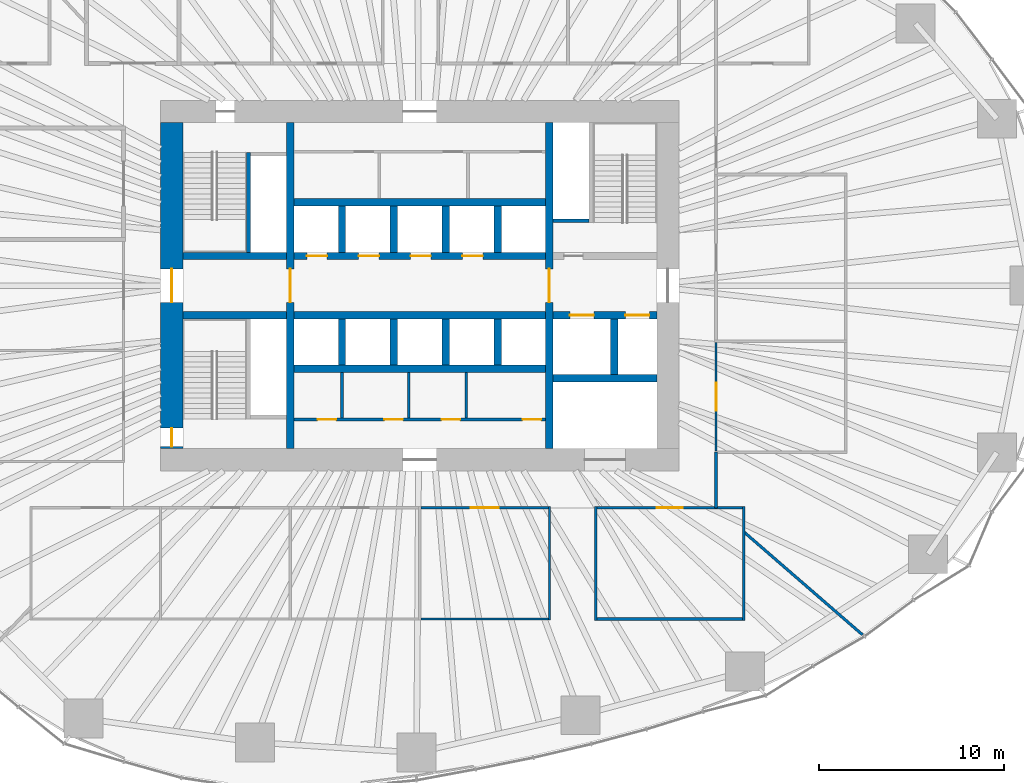
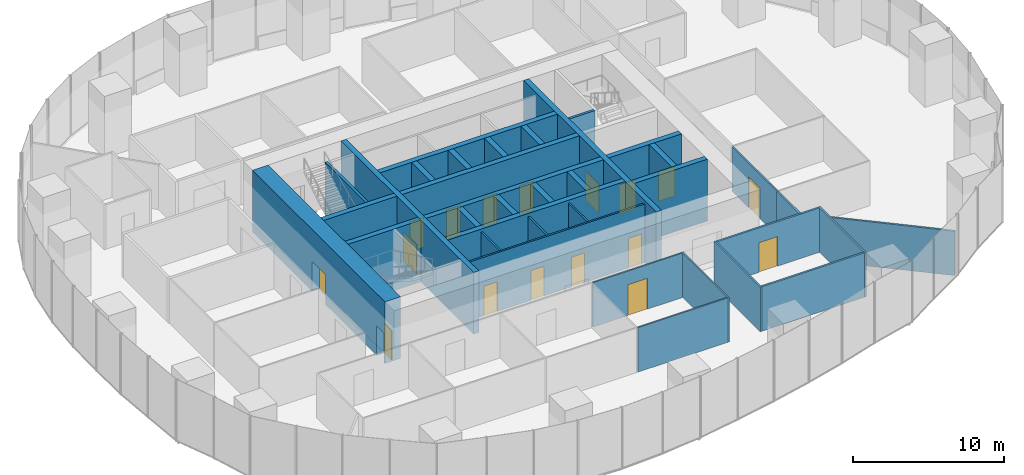
# One storey, part 10 of 20: 36 walls, 17 doors, 17 openings.
"""IFC4 building model written with IfcOpenShell, lengths in metres."""

from ifc_helpers import new_model, si_unit, direction, frame, frame_2d, origin, place, context, subcontext, project, spatial, rectangle, extrude, material, layer, layer_set, type_object, element, fill, save


model = new_model("IFC4")

# Units and contexts
model_context = context("Model", 3, precision=1e-05, world=origin(), true_north=direction((0.0, 1.0)))
body_context = subcontext(model_context, "Body", "Model", "MODEL_VIEW")
ifc_project = project(units=[si_unit("LENGTHUNIT", "METRE"), si_unit("AREAUNIT", "SQUARE_METRE"), si_unit("VOLUMEUNIT", "CUBIC_METRE"), si_unit("PLANEANGLEUNIT", "RADIAN"), si_unit("MASSUNIT", "GRAM", prefix="KILO")], contexts=[model_context])

# Site, building, storey
site_placement = place(None, origin())
site = spatial("IfcSite", under=ifc_project, at=site_placement, CompositionType="ELEMENT")
building_placement = place(site_placement, origin())
building = spatial("IfcBuilding", under=site, at=building_placement, Name="Ghaith Harvest Tower", CompositionType="ELEMENT")
storey_placement = place(building_placement, frame((0.0, 0.0, 40.0)))
storey = spatial("IfcBuildingStorey", under=building, at=storey_placement, Name="L08", CompositionType="ELEMENT", Elevation=40.0)

# Wall, openings, doors
ifc_material_1 = material(Name="Concrete blockwork, fair-faced", Category="masonry")
ifc_layer_1 = layer(ifc_material_1, 0.139892578125)
ifc_layer_set_1 = layer_set([ifc_layer_1], Name="CORE PARTITION 140")
wall_type_1 = type_object("IfcWallType", Name="CORE PARTITION 140", PredefinedType="PARTITIONING", material=ifc_layer_set_1)
wall_1_placement = place(storey_placement, frame((-6.800048828125, -7.22998046875, 0.0), z_axis=(0.0, 0.0, 1.0), x_axis=(1.0, 0.0, 0.0)))
wall_1 = element("IfcWall", 1, at=wall_1_placement, inside=storey, type_object=wall_type_1, Name="Core partition L08", PredefinedType="PARTITIONING", context=body_context, shape_type="SweptSolid", body=[
    extrude(rectangle(XDim=13.60009765625, YDim=0.139892578125, at=frame_2d((6.800048828125, 0.0))), origin(), (0.0, 0.0, 1.0), 4.75),
])
opening_1_placement = place(wall_1_placement, frame((1.280029296875, 0.0, 0.0)))
opening_1 = element("IfcOpeningElement", 2, at=opening_1_placement, cuts=wall_1, Name="Opening 08-011", PredefinedType="OPENING", context=body_context, shape_type="SweptSolid", body=[
    extrude(rectangle(XDim=1.0, YDim=2.39990234375, at=frame_2d((0.5, 1.199951171875))), frame((0.0, 0.080078125, 0.0), z_axis=(0.0, -1.0, 0.0), x_axis=(1.0, 0.0, 0.0)), (0.0, 0.0, 1.0), 0.159912109375),
])
opening_2_placement = place(wall_1_placement, frame((4.8798828125, 0.0, 0.0)))
opening_2 = element("IfcOpeningElement", 3, at=opening_2_placement, cuts=wall_1, Name="Opening 08-012", PredefinedType="OPENING", context=body_context, shape_type="SweptSolid", body=[
    extrude(rectangle(XDim=1.0, YDim=2.39990234375, at=frame_2d((0.5, 1.199951171875))), frame((0.0, 0.080078125, 0.0), z_axis=(0.0, -1.0, 0.0), x_axis=(1.0, 0.0, 0.0)), (0.0, 0.0, 1.0), 0.159912109375),
])
opening_3_placement = place(wall_1_placement, frame((7.97998046875, 0.0, 0.0)))
opening_3 = element("IfcOpeningElement", 4, at=opening_3_placement, cuts=wall_1, Name="Opening 08-013", PredefinedType="OPENING", context=body_context, shape_type="SweptSolid", body=[
    extrude(rectangle(XDim=1.0, YDim=2.39990234375, at=frame_2d((0.5, 1.199951171875))), frame((0.0, 0.080078125, 0.0), z_axis=(0.0, -1.0, 0.0), x_axis=(1.0, 0.0, 0.0)), (0.0, 0.0, 1.0), 0.159912109375),
])
opening_4_placement = place(wall_1_placement, frame((12.35009765625, 0.0, 0.0)))
opening_4 = element("IfcOpeningElement", 5, at=opening_4_placement, cuts=wall_1, Name="Opening 08-014", PredefinedType="OPENING", context=body_context, shape_type="SweptSolid", body=[
    extrude(rectangle(XDim=1.0, YDim=2.39990234375, at=frame_2d((0.5, 1.199951171875))), frame((0.0, 0.080078125, 0.0), z_axis=(0.0, -1.0, 0.0), x_axis=(1.0, 0.0, 0.0)), (0.0, 0.0, 1.0), 0.159912109375),
])
ifc_material_2 = material(Name="Steel fire door", Category="steel")
door_type_1 = type_object("IfcDoorType", Name="D3 FD90 1000x2400", OperationType="SINGLE_SWING_LEFT", PredefinedType="DOOR", material=ifc_material_2)
door_1_placement = place(opening_1_placement, origin())
door_1 = element("IfcDoor", 6, at=door_1_placement, inside=storey, type_object=door_type_1, Name="Security room door", OperationType="SINGLE_SWING_LEFT", OverallHeight=2.39990234375, OverallWidth=1.0, PredefinedType="DOOR", context=body_context, shape_type="SweptSolid", body=[
    extrude(rectangle(XDim=1.0, YDim=2.39990234375, at=frame_2d((0.5, 1.199951171875))), frame((0.0, 0.02490234375, 0.0), z_axis=(0.0, -1.0, 0.0), x_axis=(1.0, 0.0, 0.0)), (0.0, 0.0, 1.0), 0.050048828125),
])
fill(opening_1, door_1)
door_2_placement = place(opening_2_placement, origin())
door_2 = element("IfcDoor", 7, at=door_2_placement, inside=storey, type_object=door_type_1, Name="Electrical room door", OperationType="SINGLE_SWING_LEFT", OverallHeight=2.39990234375, OverallWidth=1.0, PredefinedType="DOOR", context=body_context, shape_type="SweptSolid", body=[
    extrude(rectangle(XDim=1.0, YDim=2.39990234375, at=frame_2d((0.5, 1.199951171875))), frame((0.0, 0.02490234375, 0.0), z_axis=(0.0, -1.0, 0.0), x_axis=(1.0, 0.0, 0.0)), (0.0, 0.0, 1.0), 0.050048828125),
])
fill(opening_2, door_2)
door_3_placement = place(opening_3_placement, origin())
door_3 = element("IfcDoor", 8, at=door_3_placement, inside=storey, type_object=door_type_1, Name="Communications equipment room door", OperationType="SINGLE_SWING_RIGHT", OverallHeight=2.39990234375, OverallWidth=1.0, PredefinedType="DOOR", context=body_context, shape_type="SweptSolid", body=[
    extrude(rectangle(XDim=1.0, YDim=2.39990234375, at=frame_2d((0.5, 1.199951171875))), frame((0.0, 0.02490234375, 0.0), z_axis=(0.0, -1.0, 0.0), x_axis=(1.0, 0.0, 0.0)), (0.0, 0.0, 1.0), 0.050048828125),
])
fill(opening_3, door_3)
door_4_placement = place(opening_4_placement, origin())
door_4 = element("IfcDoor", 9, at=door_4_placement, inside=storey, type_object=door_type_1, Name="Riser room door", OperationType="SINGLE_SWING_RIGHT", OverallHeight=2.39990234375, OverallWidth=1.0, PredefinedType="DOOR", context=body_context, shape_type="SweptSolid", body=[
    extrude(rectangle(XDim=1.0, YDim=2.39990234375, at=frame_2d((0.5, 1.199951171875))), frame((0.0, 0.02490234375, 0.0), z_axis=(0.0, -1.0, 0.0), x_axis=(1.0, 0.0, 0.0)), (0.0, 0.0, 1.0), 0.050048828125),
])
fill(opening_4, door_4)

# Walls
for number, where, z_axis, x_axis, name in (
    (10, (-4.199951171875, -4.699951171875, 0.0), (0.0, 0.0, 1.0), (0.0, -1.0, 0.0), "Core partition L08"),
    (11, (-0.60009765625, -4.699951171875, 0.0), (0.0, 0.0, 1.0), (0.0, -1.0, 0.0), "Core partition L08"),
    (12, (2.5, -4.699951171875, 0.0), (0.0, 0.0, 1.0), (0.0, -1.0, 0.0), "Core partition L08"),
):
    element("IfcWall", number, at=place(storey_placement, frame(where, z_axis=z_axis, x_axis=x_axis)), inside=storey, type_object=wall_type_1, Name=name, PredefinedType="PARTITIONING", context=body_context, shape_type="SweptSolid", body=[
        extrude(rectangle(XDim=2.4599609375, YDim=0.139892578125, at=frame_2d((1.22998046875, 0.0))), origin(), (0.0, 0.0, 1.0), 4.75),
    ])

# Wall, openings, doors
ifc_material_3 = material(Name="Concrete C70/85", Category="concrete")
ifc_layer_2 = layer(ifc_material_3, 1.199951171875)
ifc_layer_set_2 = layer_set([ifc_layer_2], Name="CORE WALL CW1200")
wall_type_2 = type_object("IfcWallType", Name="CORE WALL CW1200", PredefinedType="SHEAR", material=ifc_layer_set_2)
wall_2_placement = place(storey_placement, frame((-13.39990234375, 8.800048828125, 0.0), z_axis=(0.0, 0.0, 1.0), x_axis=(0.0, -1.0, 0.0)))
wall_2 = element("IfcWall", 13, at=wall_2_placement, inside=storey, type_object=wall_type_2, Name="Core wall W L08", PredefinedType="SHEAR", context=body_context, shape_type="SweptSolid", body=[
    extrude(rectangle(XDim=17.60009765625, YDim=1.199951171875, at=frame_2d((8.800048828125, 0.0))), origin(), (0.0, 0.0, 1.0), 5.0),
])
opening_5_placement = place(wall_2_placement, frame((7.89990234375, 0.0, 0.0)))
opening_5 = element("IfcOpeningElement", 14, at=opening_5_placement, cuts=wall_2, Name="Opening 08-001", PredefinedType="OPENING", context=body_context, shape_type="SweptSolid", body=[
    extrude(rectangle(XDim=1.800048828125, YDim=2.39990234375, at=frame_2d((0.89990234375, 1.199951171875))), frame((0.0, 0.60986328125, 0.0), z_axis=(0.0, -1.0, 0.0), x_axis=(1.0, 0.0, 0.0)), (0.0, 0.0, 1.0), 1.219970703125),
])
opening_6_placement = place(wall_2_placement, frame((16.5, 0.0, 0.0)))
opening_6 = element("IfcOpeningElement", 15, at=opening_6_placement, cuts=wall_2, Name="Opening 08-006", PredefinedType="OPENING", context=body_context, shape_type="SweptSolid", body=[
    extrude(rectangle(XDim=1.0, YDim=2.39990234375, at=frame_2d((0.5, 1.199951171875))), frame((0.0, 0.60986328125, 0.0), z_axis=(0.0, -1.0, 0.0), x_axis=(1.0, 0.0, 0.0)), (0.0, 0.0, 1.0), 1.219970703125),
])
door_5_placement = place(opening_6_placement, origin())
door_5 = element("IfcDoor", 16, at=door_5_placement, inside=storey, type_object=door_type_1, Name="Stair ST3 door", OperationType="SINGLE_SWING_RIGHT", OverallHeight=2.39990234375, OverallWidth=1.0, PredefinedType="DOOR", context=body_context, shape_type="SweptSolid", body=[
    extrude(rectangle(XDim=1.0, YDim=2.39990234375, at=frame_2d((0.5, 1.199951171875))), frame((0.0, 0.02490234375, 0.0), z_axis=(0.0, -1.0, 0.0), x_axis=(1.0, 0.0, 0.0)), (0.0, 0.0, 1.0), 0.050048828125),
])
fill(opening_6, door_5)
ifc_material_4 = material(Name="Steel fire door", Category="steel")
door_type_2 = type_object("IfcDoorType", Name="D4 FD90 PAIR 1800x2400", OperationType="DOUBLE_DOOR_SINGLE_SWING", PredefinedType="DOOR", material=ifc_material_4)
door_6_placement = place(opening_5_placement, origin())
door_6 = element("IfcDoor", 17, at=door_6_placement, inside=storey, type_object=door_type_2, Name="West lobby doors", OperationType="DOUBLE_DOOR_SINGLE_SWING", OverallHeight=2.39990234375, OverallWidth=1.800048828125, PredefinedType="DOOR", context=body_context, shape_type="SweptSolid", body=[
    extrude(rectangle(XDim=1.800048828125, YDim=2.39990234375, at=frame_2d((0.89990234375, 1.199951171875))), frame((0.0, 0.02490234375, 0.0), z_axis=(0.0, -1.0, 0.0), x_axis=(1.0, 0.0, 0.0)), (0.0, 0.0, 1.0), 0.050048828125),
])
fill(opening_5, door_6)

# Wall
ifc_material_5 = material(Name="Insulated food-grade panel", Category="steel")
ifc_layer_3 = layer(ifc_material_5, 0.1201171875)
ifc_layer_set_3 = layer_set([ifc_layer_3], Name="INSULATED PANEL WALL 120")
wall_type_3 = type_object("IfcWallType", Name="INSULATED PANEL WALL 120", PredefinedType="PARTITIONING", material=ifc_layer_set_3)
wall_3_placement = place(storey_placement, frame((7.0, -11.93994140625, 0.0), z_axis=(0.0, 0.0, 1.0), x_axis=(0.0, -1.0, 0.0)))
element("IfcWall", 18, at=wall_3_placement, inside=storey, type_object=wall_type_3, Name="Partition L08 row S1 cross wall 5", PredefinedType="PARTITIONING", context=body_context, shape_type="SweptSolid", body=[
    extrude(rectangle(XDim=6.1201171875, YDim=0.1201171875, at=frame_2d((3.06005859375, 0.0))), origin(), (0.0, 0.0, 1.0), 3.60009765625),
])

# Wall, opening, door
wall_4_placement = place(storey_placement, frame((0.06005859375, -12.0, 0.0), z_axis=(0.0, 0.0, 1.0), x_axis=(1.0, 0.0, 0.0)))
wall_4 = element("IfcWall", 19, at=wall_4_placement, inside=storey, type_object=wall_type_3, Name="Partition L08-04", PredefinedType="PARTITIONING", context=body_context, shape_type="SweptSolid", body=[
    extrude(rectangle(XDim=6.8798828125, YDim=0.1201171875, at=frame_2d((3.43994140625, 0.0))), origin(), (0.0, 0.0, 1.0), 3.60009765625),
])
opening_7_placement = place(wall_4_placement, frame((2.68994140625, 0.0, 0.0)))
opening_7 = element("IfcOpeningElement", 20, at=opening_7_placement, cuts=wall_4, Name="Opening 08-027", PredefinedType="OPENING", context=body_context, shape_type="SweptSolid", body=[
    extrude(rectangle(XDim=1.5, YDim=2.5, at=frame_2d((0.75, 1.25))), frame((0.0, 0.070068359375, 0.0), z_axis=(0.0, -1.0, 0.0), x_axis=(1.0, 0.0, 0.0)), (0.0, 0.0, 1.0), 0.14013671875),
])
ifc_material_6 = material(Name="Insulated steel sliding door", Category="steel")
door_type_3 = type_object("IfcDoorType", Name="D13 COLD STORE SLIDING 1500x2500", OperationType="SLIDING_TO_LEFT", PredefinedType="DOOR", material=ifc_material_6)
door_7_placement = place(opening_7_placement, origin())
door_7 = element("IfcDoor", 21, at=door_7_placement, inside=storey, type_object=door_type_3, Name="Racked growing room door", OperationType="SLIDING_TO_LEFT", OverallHeight=2.5, OverallWidth=1.5, PredefinedType="DOOR", context=body_context, shape_type="SweptSolid", body=[
    extrude(rectangle(XDim=1.5, YDim=2.5, at=frame_2d((0.75, 1.25))), frame((0.0, 0.02490234375, 0.0), z_axis=(0.0, -1.0, 0.0), x_axis=(1.0, 0.0, 0.0)), (0.0, 0.0, 1.0), 0.050048828125),
])
fill(opening_7, door_7)

# Wall
wall_5_placement = place(storey_placement, frame((0.06005859375, -18.0, 0.0), z_axis=(0.0, 0.0, 1.0), x_axis=(1.0, 0.0, 0.0)))
element("IfcWall", 22, at=wall_5_placement, inside=storey, type_object=wall_type_3, Name="Partition L08-04", PredefinedType="PARTITIONING", context=body_context, shape_type="SweptSolid", body=[
    extrude(rectangle(XDim=6.8798828125, YDim=0.1201171875, at=frame_2d((3.43994140625, 0.0))), origin(), (0.0, 0.0, 1.0), 3.60009765625),
])

# Wall, opening, door
wall_6_placement = place(storey_placement, frame((16.0, -8.93994140625, 0.0), z_axis=(0.0, 0.0, 1.0), x_axis=(0.0, 1.0, 0.0)))
wall_6 = element("IfcWall", 23, at=wall_6_placement, inside=storey, type_object=wall_type_3, Name="Partition L08-14", PredefinedType="PARTITIONING", context=body_context, shape_type="SweptSolid", body=[
    extrude(rectangle(XDim=5.8798828125, YDim=0.1201171875, at=frame_2d((2.93994140625, 0.0))), origin(), (0.0, 0.0, 1.0), 3.60009765625),
])
opening_8_placement = place(wall_6_placement, frame((2.18994140625, 0.0, 0.0)))
opening_8 = element("IfcOpeningElement", 24, at=opening_8_placement, cuts=wall_6, Name="Opening 08-037", PredefinedType="OPENING", context=body_context, shape_type="SweptSolid", body=[
    extrude(rectangle(XDim=1.5, YDim=2.5, at=frame_2d((0.75, 1.25))), frame((0.0, 0.070068359375, 0.0), z_axis=(0.0, -1.0, 0.0), x_axis=(1.0, 0.0, 0.0)), (0.0, 0.0, 1.0), 0.14013671875),
])
door_8_placement = place(opening_8_placement, origin())
door_8 = element("IfcDoor", 25, at=door_8_placement, inside=storey, type_object=door_type_3, Name="Cold store door", OperationType="SLIDING_TO_LEFT", OverallHeight=2.5, OverallWidth=1.5, PredefinedType="DOOR", context=body_context, shape_type="SweptSolid", body=[
    extrude(rectangle(XDim=1.5, YDim=2.5, at=frame_2d((0.75, 1.25))), frame((0.0, 0.02490234375, 0.0), z_axis=(0.0, -1.0, 0.0), x_axis=(1.0, 0.0, 0.0)), (0.0, 0.0, 1.0), 0.050048828125),
])
fill(opening_8, door_8)

# Walls
ifc_material_7 = material(Name="Gypsum board on steel studs", Category="steel")
ifc_layer_4 = layer(ifc_material_7, 0.14990234375)
ifc_layer_set_4 = layer_set([ifc_layer_4], Name="PARTITION 150")
wall_type_4 = type_object("IfcWallType", Name="PARTITION 150", PredefinedType="PARTITIONING", material=ifc_layer_set_4)
for number, where, z_axis, x_axis, name in (
    (26, (9.5, -11.925048828125, 0.0), (0.0, 0.0, 1.0), (0.0, -1.0, 0.0), "Partition L08 row S2 cross wall 1"),
    (27, (17.5, -11.925048828125, 0.0), (0.0, 0.0, 1.0), (0.0, -1.0, 0.0), "Partition L08 row S2 cross wall 2"),
):
    element("IfcWall", number, at=place(storey_placement, frame(where, z_axis=z_axis, x_axis=x_axis)), inside=storey, type_object=wall_type_4, Name=name, PredefinedType="PARTITIONING", context=body_context, shape_type="SweptSolid", body=[
        extrude(rectangle(XDim=6.14990234375, YDim=0.14990234375, at=frame_2d((3.074951171875, 0.0))), origin(), (0.0, 0.0, 1.0), 3.60009765625),
    ])

# Wall, opening, door
wall_7_placement = place(storey_placement, frame((9.574951171875, -12.0, 0.0), z_axis=(0.0, 0.0, 1.0), x_axis=(1.0, 0.0, 0.0)))
wall_7 = element("IfcWall", 28, at=wall_7_placement, inside=storey, type_object=wall_type_4, Name="Partition L08-05", PredefinedType="PARTITIONING", context=body_context, shape_type="SweptSolid", body=[
    extrude(rectangle(XDim=7.85009765625, YDim=0.14990234375, at=frame_2d((3.925048828125, 0.0))), origin(), (0.0, 0.0, 1.0), 3.60009765625),
])
opening_9_placement = place(wall_7_placement, frame((3.22509765625, 0.0, 0.0)))
opening_9 = element("IfcOpeningElement", 29, at=opening_9_placement, cuts=wall_7, Name="Opening 08-028", PredefinedType="OPENING", context=body_context, shape_type="SweptSolid", body=[
    extrude(rectangle(XDim=1.39990234375, YDim=2.39990234375, at=frame_2d((0.699951171875, 1.199951171875))), frame((0.0, 0.0849609375, 0.0), z_axis=(0.0, -1.0, 0.0), x_axis=(1.0, 0.0, 0.0)), (0.0, 0.0, 1.0), 0.169921875),
])
ifc_material_8 = material(Name="Stainless steel faced door pair", Category="steel")
door_type_4 = type_object("IfcDoorType", Name="D14 HYGIENE PAIR 1400x2400", OperationType="DOUBLE_DOOR_DOUBLE_SWING", PredefinedType="DOOR", material=ifc_material_8)
door_9_placement = place(opening_9_placement, origin())
door_9 = element("IfcDoor", 30, at=door_9_placement, inside=storey, type_object=door_type_4, Name="Harvest room door", OperationType="DOUBLE_DOOR_DOUBLE_SWING", OverallHeight=2.39990234375, OverallWidth=1.39990234375, PredefinedType="DOOR", context=body_context, shape_type="SweptSolid", body=[
    extrude(rectangle(XDim=1.39990234375, YDim=2.39990234375, at=frame_2d((0.699951171875, 1.199951171875))), frame((0.0, 0.02490234375, 0.0), z_axis=(0.0, -1.0, 0.0), x_axis=(1.0, 0.0, 0.0)), (0.0, 0.0, 1.0), 0.050048828125),
])
fill(opening_9, door_9)

# Walls
wall_8_placement = place(storey_placement, frame((9.574951171875, -18.0, 0.0), z_axis=(0.0, 0.0, 1.0), x_axis=(1.0, 0.0, 0.0)))
element("IfcWall", 31, at=wall_8_placement, inside=storey, type_object=wall_type_4, Name="Partition L08-05", PredefinedType="PARTITIONING", context=body_context, shape_type="SweptSolid", body=[
    extrude(rectangle(XDim=7.85009765625, YDim=0.14990234375, at=frame_2d((3.925048828125, 0.0))), origin(), (0.0, 0.0, 1.0), 3.60009765625),
])
wall_9_placement = place(storey_placement, frame((17.52001953125, -13.318359375, 0.0), z_axis=(0.0, 0.0, 1.0), x_axis=(0.755434683868, -0.655223960497, 0.0)))
element("IfcWall", 32, at=wall_9_placement, inside=storey, type_object=wall_type_4, Name="Partition L08 zone division", PredefinedType="PARTITIONING", context=body_context, shape_type="SweptSolid", body=[
    extrude(rectangle(XDim=8.456298828125, YDim=0.14990234375, at=frame_2d((4.22802734375, 0.0))), origin(), (0.0, 0.0, 1.0), 3.60009765625),
])
wall_10_placement = place(storey_placement, frame((16.0, -12.0, 0.0), z_axis=(0.0, 0.0, 1.0), x_axis=(0.0, 1.0, 0.0)))
element("IfcWall", 33, at=wall_10_placement, inside=storey, type_object=wall_type_4, Name="Partition L08 zone enclosure", PredefinedType="PARTITIONING", context=body_context, shape_type="SweptSolid", body=[
    extrude(rectangle(XDim=3.0, YDim=0.14990234375, at=frame_2d((1.5, 0.0))), origin(), (0.0, 0.0, 1.0), 3.60009765625),
])

# Wall, opening, door
ifc_material_9 = material(Name="Concrete C70/85", Category="concrete")
ifc_layer_5 = layer(ifc_material_9, 0.39990234375)
ifc_layer_set_5 = layer_set([ifc_layer_5], Name="SHAFT WALL 400")
wall_type_5 = type_object("IfcWallType", Name="SHAFT WALL 400", PredefinedType="SHEAR", material=ifc_layer_set_5)
wall_11_placement = place(storey_placement, frame((-7.0, -8.800048828125, 0.0), z_axis=(0.0, 0.0, 1.0), x_axis=(0.0, 1.0, 0.0)))
wall_11 = element("IfcWall", 34, at=wall_11_placement, inside=storey, type_object=wall_type_5, Name="Shaft wall W7W L08", PredefinedType="SHEAR", context=body_context, shape_type="SweptSolid", body=[
    extrude(rectangle(XDim=17.60009765625, YDim=0.39990234375, at=frame_2d((8.800048828125, 0.0))), origin(), (0.0, 0.0, 1.0), 5.0),
])
opening_10_placement = place(wall_11_placement, frame((7.89990234375, 0.0, 0.0)))
opening_10 = element("IfcOpeningElement", 35, at=opening_10_placement, cuts=wall_11, Name="Opening 08-003", PredefinedType="OPENING", context=body_context, shape_type="SweptSolid", body=[
    extrude(rectangle(XDim=1.800048828125, YDim=2.39990234375, at=frame_2d((0.89990234375, 1.199951171875))), frame((0.0, 0.2099609375, 0.0), z_axis=(0.0, -1.0, 0.0), x_axis=(1.0, 0.0, 0.0)), (0.0, 0.0, 1.0), 0.419921875),
])
door_10_placement = place(opening_10_placement, origin())
door_10 = element("IfcDoor", 36, at=door_10_placement, inside=storey, type_object=door_type_2, Name="Lift lobby doors, west", OperationType="DOUBLE_DOOR_SINGLE_SWING", OverallHeight=2.39990234375, OverallWidth=1.800048828125, PredefinedType="DOOR", context=body_context, shape_type="SweptSolid", body=[
    extrude(rectangle(XDim=1.800048828125, YDim=2.39990234375, at=frame_2d((0.89990234375, 1.199951171875))), frame((0.0, 0.02490234375, 0.0), z_axis=(0.0, -1.0, 0.0), x_axis=(1.0, 0.0, 0.0)), (0.0, 0.0, 1.0), 0.050048828125),
])
fill(opening_10, door_10)

wall_12_placement = place(storey_placement, frame((7.0, -8.800048828125, 0.0), z_axis=(0.0, 0.0, 1.0), x_axis=(0.0, 1.0, 0.0)))
wall_12 = element("IfcWall", 37, at=wall_12_placement, inside=storey, type_object=wall_type_5, Name="Shaft wall W7E L08", PredefinedType="SHEAR", context=body_context, shape_type="SweptSolid", body=[
    extrude(rectangle(XDim=17.60009765625, YDim=0.39990234375, at=frame_2d((8.800048828125, 0.0))), origin(), (0.0, 0.0, 1.0), 5.0),
])
opening_11_placement = place(wall_12_placement, frame((7.89990234375, 0.0, 0.0)))
opening_11 = element("IfcOpeningElement", 38, at=opening_11_placement, cuts=wall_12, Name="Opening 08-004", PredefinedType="OPENING", context=body_context, shape_type="SweptSolid", body=[
    extrude(rectangle(XDim=1.800048828125, YDim=2.39990234375, at=frame_2d((0.89990234375, 1.199951171875))), frame((0.0, 0.2099609375, 0.0), z_axis=(0.0, -1.0, 0.0), x_axis=(1.0, 0.0, 0.0)), (0.0, 0.0, 1.0), 0.419921875),
])
door_11_placement = place(opening_11_placement, origin())
door_11 = element("IfcDoor", 39, at=door_11_placement, inside=storey, type_object=door_type_2, Name="Lift lobby doors, east", OperationType="DOUBLE_DOOR_SINGLE_SWING", OverallHeight=2.39990234375, OverallWidth=1.800048828125, PredefinedType="DOOR", context=body_context, shape_type="SweptSolid", body=[
    extrude(rectangle(XDim=1.800048828125, YDim=2.39990234375, at=frame_2d((0.89990234375, 1.199951171875))), frame((0.0, 0.02490234375, 0.0), z_axis=(0.0, -1.0, 0.0), x_axis=(1.0, 0.0, 0.0)), (0.0, 0.0, 1.0), 0.050048828125),
])
fill(opening_11, door_11)

# Wall, openings, doors
wall_13_placement = place(storey_placement, frame((-6.800048828125, 1.60009765625, 0.0), z_axis=(0.0, 0.0, 1.0), x_axis=(1.0, 0.0, 0.0)))
wall_13 = element("IfcWall", 40, at=wall_13_placement, inside=storey, type_object=wall_type_5, Name="Shaft wall LN L08", PredefinedType="SHEAR", context=body_context, shape_type="SweptSolid", body=[
    extrude(rectangle(XDim=13.60009765625, YDim=0.39990234375, at=frame_2d((6.800048828125, 0.0))), origin(), (0.0, 0.0, 1.0), 5.0),
])
opening_12_placement = place(wall_13_placement, frame((0.699951171875, 0.0, 0.0)))
opening_12 = element("IfcOpeningElement", 41, at=opening_12_placement, cuts=wall_13, Name="Opening 08-017", PredefinedType="OPENING", context=body_context, shape_type="SweptSolid", body=[
    extrude(rectangle(XDim=1.10009765625, YDim=2.39990234375, at=frame_2d((0.550048828125, 1.199951171875))), frame((0.0, 0.2099609375, 0.0), z_axis=(0.0, -1.0, 0.0), x_axis=(1.0, 0.0, 0.0)), (0.0, 0.0, 1.0), 0.419921875),
])
opening_13_placement = place(wall_13_placement, frame((3.5, 0.0, 0.0)))
opening_13 = element("IfcOpeningElement", 42, at=opening_13_placement, cuts=wall_13, Name="Opening 08-018", PredefinedType="OPENING", context=body_context, shape_type="SweptSolid", body=[
    extrude(rectangle(XDim=1.10009765625, YDim=2.39990234375, at=frame_2d((0.550048828125, 1.199951171875))), frame((0.0, 0.2099609375, 0.0), z_axis=(0.0, -1.0, 0.0), x_axis=(1.0, 0.0, 0.0)), (0.0, 0.0, 1.0), 0.419921875),
])
opening_14_placement = place(wall_13_placement, frame((6.300048828125, 0.0, 0.0)))
opening_14 = element("IfcOpeningElement", 43, at=opening_14_placement, cuts=wall_13, Name="Opening 08-019", PredefinedType="OPENING", context=body_context, shape_type="SweptSolid", body=[
    extrude(rectangle(XDim=1.10009765625, YDim=2.39990234375, at=frame_2d((0.550048828125, 1.199951171875))), frame((0.0, 0.2099609375, 0.0), z_axis=(0.0, -1.0, 0.0), x_axis=(1.0, 0.0, 0.0)), (0.0, 0.0, 1.0), 0.419921875),
])
opening_15_placement = place(wall_13_placement, frame((9.10009765625, 0.0, 0.0)))
opening_15 = element("IfcOpeningElement", 44, at=opening_15_placement, cuts=wall_13, Name="Opening 08-020", PredefinedType="OPENING", context=body_context, shape_type="SweptSolid", body=[
    extrude(rectangle(XDim=1.10009765625, YDim=2.39990234375, at=frame_2d((0.550048828125, 1.199951171875))), frame((0.0, 0.2099609375, 0.0), z_axis=(0.0, -1.0, 0.0), x_axis=(1.0, 0.0, 0.0)), (0.0, 0.0, 1.0), 0.419921875),
])
ifc_material_10 = material(Name="Steel fire door", Category="steel")
door_type_5 = type_object("IfcDoorType", Name="LD1 LANDING 1100x2400", OperationType="DOUBLE_DOOR_SLIDING", PredefinedType="DOOR", material=ifc_material_10)
door_12_placement = place(opening_12_placement, origin())
door_12 = element("IfcDoor", 45, at=door_12_placement, inside=storey, type_object=door_type_5, Name="Landing door, lift FA1", OperationType="DOUBLE_DOOR_SLIDING", OverallHeight=2.39990234375, OverallWidth=1.10009765625, PredefinedType="DOOR", context=body_context, shape_type="SweptSolid", body=[
    extrude(rectangle(XDim=1.10009765625, YDim=2.39990234375, at=frame_2d((0.550048828125, 1.199951171875))), frame((0.0, 0.02490234375, 0.0), z_axis=(0.0, -1.0, 0.0), x_axis=(1.0, 0.0, 0.0)), (0.0, 0.0, 1.0), 0.050048828125),
])
fill(opening_12, door_12)
door_13_placement = place(opening_13_placement, origin())
door_13 = element("IfcDoor", 46, at=door_13_placement, inside=storey, type_object=door_type_5, Name="Landing door, lift FA2", OperationType="DOUBLE_DOOR_SLIDING", OverallHeight=2.39990234375, OverallWidth=1.10009765625, PredefinedType="DOOR", context=body_context, shape_type="SweptSolid", body=[
    extrude(rectangle(XDim=1.10009765625, YDim=2.39990234375, at=frame_2d((0.550048828125, 1.199951171875))), frame((0.0, 0.02490234375, 0.0), z_axis=(0.0, -1.0, 0.0), x_axis=(1.0, 0.0, 0.0)), (0.0, 0.0, 1.0), 0.050048828125),
])
fill(opening_13, door_13)
door_14_placement = place(opening_14_placement, origin())
door_14 = element("IfcDoor", 47, at=door_14_placement, inside=storey, type_object=door_type_5, Name="Landing door, lift FA3", OperationType="DOUBLE_DOOR_SLIDING", OverallHeight=2.39990234375, OverallWidth=1.10009765625, PredefinedType="DOOR", context=body_context, shape_type="SweptSolid", body=[
    extrude(rectangle(XDim=1.10009765625, YDim=2.39990234375, at=frame_2d((0.550048828125, 1.199951171875))), frame((0.0, 0.02490234375, 0.0), z_axis=(0.0, -1.0, 0.0), x_axis=(1.0, 0.0, 0.0)), (0.0, 0.0, 1.0), 0.050048828125),
])
fill(opening_14, door_14)
door_15_placement = place(opening_15_placement, origin())
door_15 = element("IfcDoor", 48, at=door_15_placement, inside=storey, type_object=door_type_5, Name="Landing door, lift FA4", OperationType="DOUBLE_DOOR_SLIDING", OverallHeight=2.39990234375, OverallWidth=1.10009765625, PredefinedType="DOOR", context=body_context, shape_type="SweptSolid", body=[
    extrude(rectangle(XDim=1.10009765625, YDim=2.39990234375, at=frame_2d((0.550048828125, 1.199951171875))), frame((0.0, 0.02490234375, 0.0), z_axis=(0.0, -1.0, 0.0), x_axis=(1.0, 0.0, 0.0)), (0.0, 0.0, 1.0), 0.050048828125),
])
fill(opening_15, door_15)

# Walls
for number, where, z_axis, x_axis, name in (
    (49, (-6.800048828125, -1.60009765625, 0.0), (0.0, 0.0, 1.0), (1.0, 0.0, 0.0), "Shaft wall LS L08"),
    (50, (-6.800048828125, 4.5, 0.0), (0.0, 0.0, 1.0), (1.0, 0.0, 0.0), "Shaft wall BN L08"),
    (51, (-6.800048828125, -4.5, 0.0), (0.0, 0.0, 1.0), (1.0, 0.0, 0.0), "Shaft wall BS L08"),
):
    element("IfcWall", number, at=place(storey_placement, frame(where, z_axis=z_axis, x_axis=x_axis)), inside=storey, type_object=wall_type_5, Name=name, PredefinedType="SHEAR", context=body_context, shape_type="SweptSolid", body=[
        extrude(rectangle(XDim=13.60009765625, YDim=0.39990234375, at=frame_2d((6.800048828125, 0.0))), origin(), (0.0, 0.0, 1.0), 5.0),
    ])
for number, where, z_axis, x_axis, name in (
    (52, (-12.800048828125, 1.60009765625, 0.0), (0.0, 0.0, 1.0), (1.0, 0.0, 0.0), "Shaft wall WN L08"),
    (53, (-12.800048828125, -1.60009765625, 0.0), (0.0, 0.0, 1.0), (1.0, 0.0, 0.0), "Shaft wall WS L08"),
):
    element("IfcWall", number, at=place(storey_placement, frame(where, z_axis=z_axis, x_axis=x_axis)), inside=storey, type_object=wall_type_5, Name=name, PredefinedType="SHEAR", context=body_context, shape_type="SweptSolid", body=[
        extrude(rectangle(XDim=5.60009765625, YDim=0.39990234375, at=frame_2d((2.800048828125, 0.0))), origin(), (0.0, 0.0, 1.0), 5.0),
    ])

# Wall, openings, doors
wall_14_placement = place(storey_placement, frame((7.199951171875, -1.60009765625, 0.0), z_axis=(0.0, 0.0, 1.0), x_axis=(1.0, 0.0, 0.0)))
wall_14 = element("IfcWall", 54, at=wall_14_placement, inside=storey, type_object=wall_type_5, Name="Shaft wall ES L08", PredefinedType="SHEAR", context=body_context, shape_type="SweptSolid", body=[
    extrude(rectangle(XDim=5.60009765625, YDim=0.39990234375, at=frame_2d((2.800048828125, 0.0))), origin(), (0.0, 0.0, 1.0), 5.0),
])
opening_16_placement = place(wall_14_placement, frame((0.89990234375, 0.0, 0.0)))
opening_16 = element("IfcOpeningElement", 55, at=opening_16_placement, cuts=wall_14, Name="Opening 08-021", PredefinedType="OPENING", context=body_context, shape_type="SweptSolid", body=[
    extrude(rectangle(XDim=1.300048828125, YDim=2.39990234375, at=frame_2d((0.64990234375, 1.199951171875))), frame((0.0, 0.2099609375, 0.0), z_axis=(0.0, -1.0, 0.0), x_axis=(1.0, 0.0, 0.0)), (0.0, 0.0, 1.0), 0.419921875),
])
opening_17_placement = place(wall_14_placement, frame((3.89990234375, 0.0, 0.0)))
opening_17 = element("IfcOpeningElement", 56, at=opening_17_placement, cuts=wall_14, Name="Opening 08-022", PredefinedType="OPENING", context=body_context, shape_type="SweptSolid", body=[
    extrude(rectangle(XDim=1.300048828125, YDim=2.39990234375, at=frame_2d((0.64990234375, 1.199951171875))), frame((0.0, 0.2099609375, 0.0), z_axis=(0.0, -1.0, 0.0), x_axis=(1.0, 0.0, 0.0)), (0.0, 0.0, 1.0), 0.419921875),
])
ifc_material_11 = material(Name="Steel fire door", Category="steel")
door_type_6 = type_object("IfcDoorType", Name="LD2 LANDING 1300x2400", OperationType="DOUBLE_DOOR_SLIDING", PredefinedType="DOOR", material=ifc_material_11)
door_16_placement = place(opening_16_placement, origin())
door_16 = element("IfcDoor", 57, at=door_16_placement, inside=storey, type_object=door_type_6, Name="Landing door, fire service lift FL1", OperationType="DOUBLE_DOOR_SLIDING", OverallHeight=2.39990234375, OverallWidth=1.300048828125, PredefinedType="DOOR", context=body_context, shape_type="SweptSolid", body=[
    extrude(rectangle(XDim=1.300048828125, YDim=2.39990234375, at=frame_2d((0.64990234375, 1.199951171875))), frame((0.0, 0.02490234375, 0.0), z_axis=(0.0, -1.0, 0.0), x_axis=(1.0, 0.0, 0.0)), (0.0, 0.0, 1.0), 0.050048828125),
])
fill(opening_16, door_16)
door_17_placement = place(opening_17_placement, origin())
door_17 = element("IfcDoor", 58, at=door_17_placement, inside=storey, type_object=door_type_6, Name="Landing door, fire service lift FL2", OperationType="DOUBLE_DOOR_SLIDING", OverallHeight=2.39990234375, OverallWidth=1.300048828125, PredefinedType="DOOR", context=body_context, shape_type="SweptSolid", body=[
    extrude(rectangle(XDim=1.300048828125, YDim=2.39990234375, at=frame_2d((0.64990234375, 1.199951171875))), frame((0.0, 0.02490234375, 0.0), z_axis=(0.0, -1.0, 0.0), x_axis=(1.0, 0.0, 0.0)), (0.0, 0.0, 1.0), 0.050048828125),
])
fill(opening_17, door_17)

# Walls
wall_15_placement = place(storey_placement, frame((10.5, -4.800048828125, 0.0), z_axis=(0.0, 0.0, 1.0), x_axis=(0.0, 1.0, 0.0)))
element("IfcWall", 59, at=wall_15_placement, inside=storey, type_object=wall_type_5, Name="Shaft wall FLD L08", PredefinedType="SHEAR", context=body_context, shape_type="SweptSolid", body=[
    extrude(rectangle(XDim=3.0, YDim=0.39990234375, at=frame_2d((1.5, 0.0))), origin(), (0.0, 0.0, 1.0), 5.0),
])
wall_16_placement = place(storey_placement, frame((7.199951171875, -5.0, 0.0), z_axis=(0.0, 0.0, 1.0), x_axis=(1.0, 0.0, 0.0)))
element("IfcWall", 60, at=wall_16_placement, inside=storey, type_object=wall_type_5, Name="Shaft wall FLB L08", PredefinedType="SHEAR", context=body_context, shape_type="SweptSolid", body=[
    extrude(rectangle(XDim=5.60009765625, YDim=0.39990234375, at=frame_2d((2.800048828125, 0.0))), origin(), (0.0, 0.0, 1.0), 5.0),
])
for number, where, z_axis, x_axis, name in (
    (61, (-4.199951171875, 1.800048828125, 0.0), (0.0, 0.0, 1.0), (0.0, 1.0, 0.0), "Shaft wall DN1 L08"),
    (62, (-4.199951171875, -4.300048828125, 0.0), (0.0, 0.0, 1.0), (0.0, 1.0, 0.0), "Shaft wall DS1 L08"),
    (63, (-1.39990234375, 1.800048828125, 0.0), (0.0, 0.0, 1.0), (0.0, 1.0, 0.0), "Shaft wall DN2 L08"),
    (64, (-1.39990234375, -4.300048828125, 0.0), (0.0, 0.0, 1.0), (0.0, 1.0, 0.0), "Shaft wall DS2 L08"),
    (65, (1.39990234375, 1.800048828125, 0.0), (0.0, 0.0, 1.0), (0.0, 1.0, 0.0), "Shaft wall DN3 L08"),
    (66, (1.39990234375, -4.300048828125, 0.0), (0.0, 0.0, 1.0), (0.0, 1.0, 0.0), "Shaft wall DS3 L08"),
    (67, (4.199951171875, 1.800048828125, 0.0), (0.0, 0.0, 1.0), (0.0, 1.0, 0.0), "Shaft wall DN4 L08"),
    (68, (4.199951171875, -4.300048828125, 0.0), (0.0, 0.0, 1.0), (0.0, 1.0, 0.0), "Shaft wall DS4 L08"),
):
    element("IfcWall", number, at=place(storey_placement, frame(where, z_axis=z_axis, x_axis=x_axis)), inside=storey, type_object=wall_type_5, Name=name, PredefinedType="SHEAR", context=body_context, shape_type="SweptSolid", body=[
        extrude(rectangle(XDim=2.5, YDim=0.39990234375, at=frame_2d((1.25, 0.0))), origin(), (0.0, 0.0, 1.0), 5.0),
    ])
ifc_material_12 = material(Name="Concrete C40/50", Category="concrete")
ifc_layer_6 = layer(ifc_material_12, 0.199951171875)
ifc_layer_set_6 = layer_set([ifc_layer_6], Name="STAIR SPINE WALL RC200")
wall_type_6 = type_object("IfcWallType", Name="STAIR SPINE WALL RC200", PredefinedType="SOLIDWALL", material=ifc_layer_set_6)
wall_17_placement = place(storey_placement, frame((-9.25, 7.199951171875, 0.0), z_axis=(0.0, 0.0, 1.0), x_axis=(0.0, -1.0, 0.0)))
element("IfcWall", 69, at=wall_17_placement, inside=storey, type_object=wall_type_6, Name="Stair ST1 spine wall L08", PredefinedType="SOLIDWALL", context=body_context, shape_type="SweptSolid", body=[
    extrude(rectangle(XDim=5.39990234375, YDim=0.199951171875, at=frame_2d((2.699951171875, 0.0))), origin(), (0.0, 0.0, 1.0), 5.0),
])
wall_18_placement = place(storey_placement, frame((9.14990234375, 3.5, 0.0), z_axis=(0.0, 0.0, 1.0), x_axis=(-1.0, 0.0, 0.0)))
element("IfcWall", 70, at=wall_18_placement, inside=storey, type_object=wall_type_6, Name="Stair ST2 spine wall return L08", PredefinedType="SOLIDWALL", context=body_context, shape_type="SweptSolid", body=[
    extrude(rectangle(XDim=1.949951171875, YDim=0.199951171875, at=frame_2d((0.97509765625, 0.0))), origin(), (0.0, 0.0, 1.0), 5.0),
])

save(model, "model.ifc")
